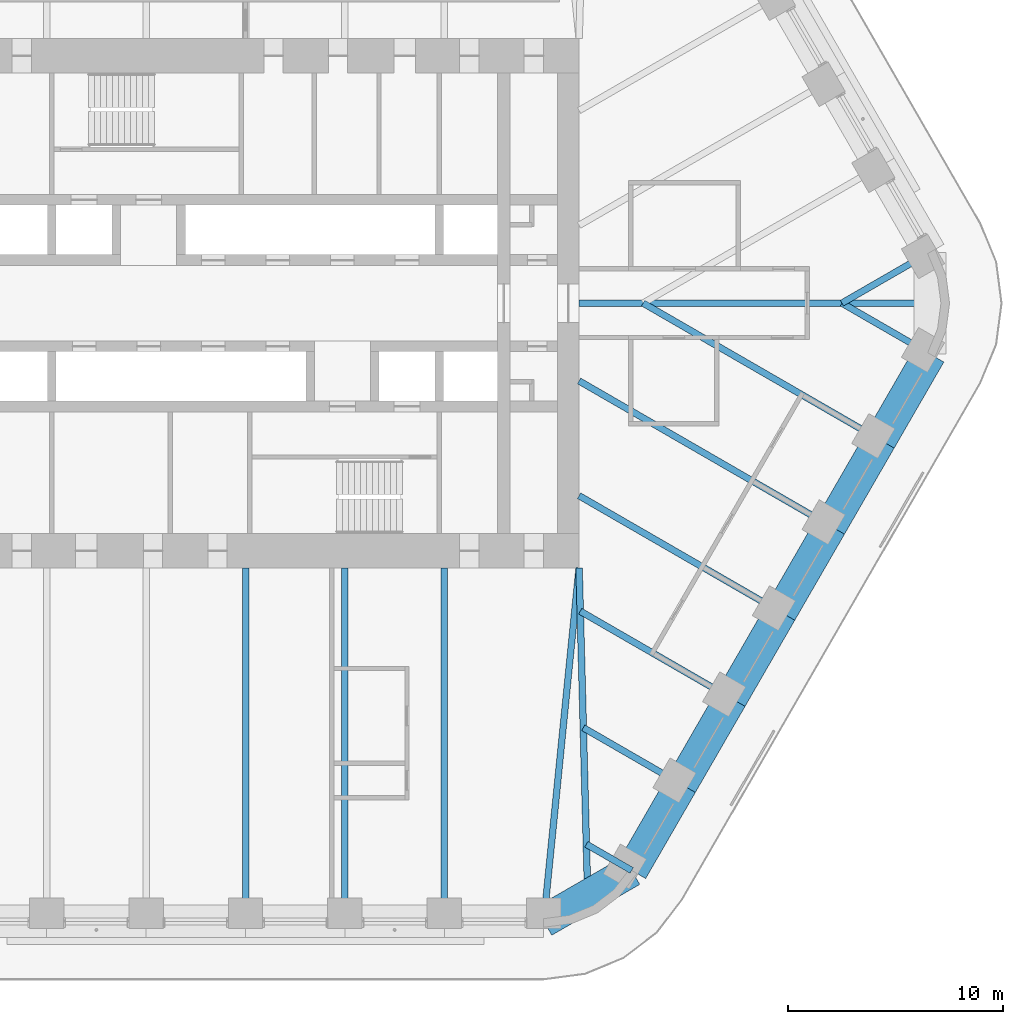
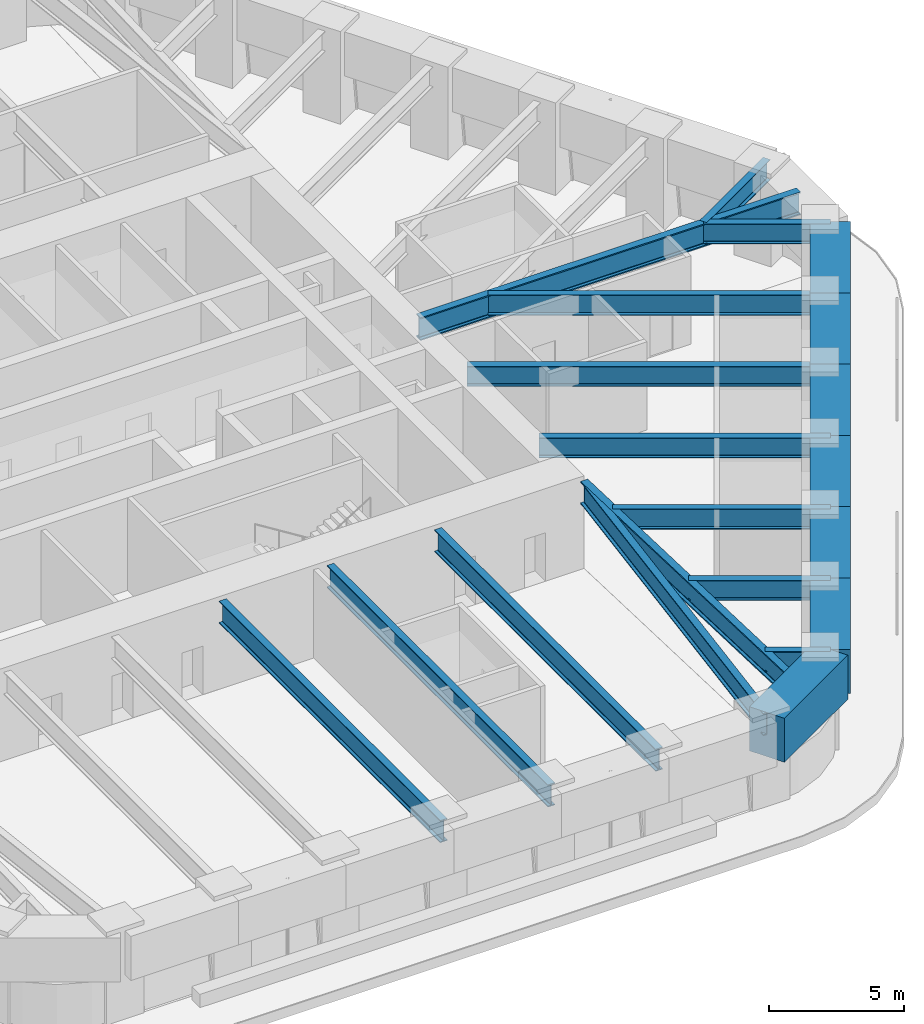
# One storey, part 5 of 20: 21 beams.
"""IFC4 building model written with IfcOpenShell, lengths in metres."""

from ifc_helpers import new_model, si_unit, direction, frame, origin, origin_2d, place, context, subcontext, project, spatial, rectangle, i_section, extrude, material, material_profile, profile_set, type_object, element, save


model = new_model("IFC4")

# Units and contexts
model_context = context("Model", 3, precision=1e-05, world=origin(), true_north=direction((0.0, 1.0)))
body_context = subcontext(model_context, "Body", "Model", "MODEL_VIEW")
ifc_project = project(units=[si_unit("LENGTHUNIT", "METRE"), si_unit("AREAUNIT", "SQUARE_METRE"), si_unit("VOLUMEUNIT", "CUBIC_METRE"), si_unit("PLANEANGLEUNIT", "RADIAN"), si_unit("MASSUNIT", "GRAM", prefix="KILO")], contexts=[model_context])

# Site, building, storey
site_placement = place(None, origin())
site = spatial("IfcSite", under=ifc_project, at=site_placement, CompositionType="ELEMENT")
building_placement = place(site_placement, origin())
building = spatial("IfcBuilding", under=site, at=building_placement, Name="Tarfa Lantern Tower", CompositionType="ELEMENT")
storey_placement = place(building_placement, frame((0.0, 0.0, 228.10009765625)))
storey = spatial("IfcBuildingStorey", under=building, at=storey_placement, Name="L51", CompositionType="ELEMENT", Elevation=228.10009765625)

# Beams
ifc_material_1 = material(Name="Concrete C80/95", Category="concrete")
ifc_material_profile_1 = material_profile(ifc_material_1, rectangle(XDim=1.5, YDim=2.0, at=origin_2d()), Name="RC 1500x2000")
ifc_profile_set_1 = profile_set([ifc_material_profile_1], Name="Concrete C80/95")
beam_type_1 = type_object("IfcBeamType", Name="RB3 RC 1500x2000", PredefinedType="BEAM", material=ifc_profile_set_1)
beam_1_placement = place(storey_placement, frame((13.8564453125, -28.719970703125, 3.0), z_axis=(0.866038294681, 0.499977671647, 0.0), x_axis=(-0.499977671647, 0.866038294681, 0.0)))
element("IfcBeam", 1, at=beam_1_placement, inside=storey, type_object=beam_type_1, Name="Edge beam S6", PredefinedType="BEAM", context=body_context, shape_type="SweptSolid", body=[
    extrude(rectangle(XDim=1.5, YDim=2.0, at=origin_2d()), origin(), (0.0, 0.0, 1.0), 4.719970703125),
])
for number, where, z_axis, x_axis, name in (
    (2, (17.944091796875, -26.360107421875, 3.0), (0.499987836815, 0.866032426089, 0.0), (-0.866032426089, 0.499987836815, 0.0), "Edge beam SE0"),
    (3, (20.25341796875, -22.360107421875, 3.0), (0.499987836815, 0.866032426089, 0.0), (-0.866032426089, 0.499987836815, 0.0), "Edge beam SE1"),
):
    element("IfcBeam", number, at=place(storey_placement, frame(where, z_axis=z_axis, x_axis=x_axis)), inside=storey, type_object=beam_type_1, Name=name, PredefinedType="BEAM", context=body_context, shape_type="SweptSolid", body=[
        extrude(rectangle(XDim=1.5, YDim=2.0, at=origin_2d()), origin(), (0.0, 0.0, 1.0), 4.61865234375),
    ])
beam_2_placement = place(storey_placement, frame((22.562744140625, -18.360107421875, 3.0), z_axis=(0.500027479704, 0.866009537788, 0.0), x_axis=(-0.866009537788, 0.500027479704, 0.0)))
element("IfcBeam", 4, at=beam_2_placement, inside=storey, type_object=beam_type_1, Name="Edge beam SE2", PredefinedType="BEAM", context=body_context, shape_type="SweptSolid", body=[
    extrude(rectangle(XDim=1.5, YDim=2.0, at=origin_2d()), origin(), (0.0, 0.0, 1.0), 4.618896484375),
])
for number, where, z_axis, x_axis, name in (
    (5, (24.872314453125, -14.360107421875, 3.0), (0.499987836815, 0.866032426089, 0.0), (-0.866032426089, 0.499987836815, 0.0), "Edge beam SE3"),
    (6, (27.181640625, -10.360107421875, 3.0), (0.499987836815, 0.866032426089, 0.0), (-0.866032426089, 0.499987836815, 0.0), "Edge beam SE4"),
):
    element("IfcBeam", number, at=place(storey_placement, frame(where, z_axis=z_axis, x_axis=x_axis)), inside=storey, type_object=beam_type_1, Name=name, PredefinedType="BEAM", context=body_context, shape_type="SweptSolid", body=[
        extrude(rectangle(XDim=1.5, YDim=2.0, at=origin_2d()), origin(), (0.0, 0.0, 1.0), 4.61865234375),
    ])
beam_3_placement = place(storey_placement, frame((29.490966796875, -6.360107421875, 3.0), z_axis=(0.500027479704, 0.866009537788, 0.0), x_axis=(-0.866009537788, 0.500027479704, 0.0)))
element("IfcBeam", 7, at=beam_3_placement, inside=storey, type_object=beam_type_1, Name="Edge beam SE5", PredefinedType="BEAM", context=body_context, shape_type="SweptSolid", body=[
    extrude(rectangle(XDim=1.5, YDim=2.0, at=origin_2d()), origin(), (0.0, 0.0, 1.0), 4.618896484375),
])
ifc_material_2 = material(Name="Steel S460M", Category="steel")
ifc_material_profile_2 = material_profile(ifc_material_2, i_section(OverallWidth=0.302001953125, OverallDepth=1.008056640625, WebThickness=0.02099609375, FlangeThickness=0.0400390625, FilletRadius=0.030029296875, at=origin_2d()), Name="UB1016x305x349")
ifc_profile_set_2 = profile_set([ifc_material_profile_2], Name="Steel S460M")
beam_type_2 = type_object("IfcBeamType", Name="UB1016x305x349", PredefinedType="BEAM", material=ifc_profile_set_2)
for number, where, z_axis, x_axis, name in (
    (8, (0.0, -28.719970703125, 3.495849609375), (0.0, 1.0, 0.0), (-1.0, 0.0, 0.0), "Floor beam S3"),
    (9, (4.618896484375, -28.719970703125, 3.495849609375), (0.0, 1.0, 0.0), (-1.0, 0.0, 0.0), "Floor beam S4"),
    (10, (9.237548828125, -28.719970703125, 3.495849609375), (0.0, 1.0, 0.0), (-1.0, 0.0, 0.0), "Floor beam S5"),
):
    element("IfcBeam", number, at=place(storey_placement, frame(where, z_axis=z_axis, x_axis=x_axis)), inside=storey, type_object=beam_type_2, Name=name, PredefinedType="BEAM", context=body_context, shape_type="SweptSolid", body=[
        extrude(i_section(OverallWidth=0.302001953125, OverallDepth=1.008056640625, WebThickness=0.02099609375, FlangeThickness=0.0400390625, FilletRadius=0.030029296875, at=origin_2d()), origin(), (0.0, 0.0, 1.0), 16.419921875),
    ])
beam_4_placement = place(storey_placement, frame((13.8564453125, -28.719970703125, 3.495849609375), z_axis=(0.099597466746, 0.995027810977, 0.0), x_axis=(-0.995027810977, 0.099597466746, 0.0)))
element("IfcBeam", 11, at=beam_4_placement, inside=storey, type_object=beam_type_2, Name="Floor beam S6", PredefinedType="BEAM", context=body_context, shape_type="SweptSolid", body=[
    extrude(i_section(OverallWidth=0.302001953125, OverallDepth=1.008056640625, WebThickness=0.02099609375, FlangeThickness=0.0400390625, FilletRadius=0.030029296875, at=origin_2d()), origin(), (0.0, 0.0, 1.0), 16.501953125),
])
ifc_material_profile_3 = material_profile(ifc_material_2, i_section(OverallWidth=0.30859375, OverallDepth=1.036376953125, WebThickness=0.030029296875, FlangeThickness=0.05419921875, FilletRadius=0.030029296875, at=origin_2d()), Name="UB1016x305x487")
ifc_profile_set_3 = profile_set([ifc_material_profile_3], Name="Steel S460M")
beam_type_3 = type_object("IfcBeamType", Name="UB1016x305x487", PredefinedType="BEAM", material=ifc_profile_set_3)
beam_5_placement = place(storey_placement, frame((15.5, 0.0, 3.481689453125), z_axis=(1.0, 0.0, 0.0), x_axis=(0.0, 1.0, 0.0)))
element("IfcBeam", 12, at=beam_5_placement, inside=storey, type_object=beam_type_3, Name="Hip girder E", PredefinedType="BEAM", context=body_context, shape_type="SweptSolid", body=[
    extrude(i_section(OverallWidth=0.30859375, OverallDepth=1.036376953125, WebThickness=0.030029296875, FlangeThickness=0.05419921875, FilletRadius=0.030029296875, at=origin_2d()), origin(), (0.0, 0.0, 1.0), 16.300537109375),
])
beam_6_placement = place(storey_placement, frame((15.5, -12.300048828125, 3.481689453125), z_axis=(0.026247301989, -0.999655480222, 0.0), x_axis=(0.999655480222, 0.026247301989, 0.0)))
element("IfcBeam", 13, at=beam_6_placement, inside=storey, type_object=beam_type_3, Name="Hip girder SE", PredefinedType="BEAM", context=body_context, shape_type="SweptSolid", body=[
    extrude(i_section(OverallWidth=0.30859375, OverallDepth=1.036376953125, WebThickness=0.030029296875, FlangeThickness=0.05419921875, FilletRadius=0.030029296875, at=origin_2d()), origin(), (0.0, 0.0, 1.0), 15.245361328125),
])
ifc_material_profile_4 = material_profile(ifc_material_2, i_section(OverallWidth=0.305419921875, OverallDepth=0.91845703125, WebThickness=0.017333984375, FlangeThickness=0.02783203125, FilletRadius=0.01904296875, at=origin_2d()), Name="UB914x305x253")
ifc_profile_set_4 = profile_set([ifc_material_profile_4], Name="Steel S460M")
beam_type_4 = type_object("IfcBeamType", Name="UB914x305x253", PredefinedType="BEAM", material=ifc_profile_set_4)
beam_7_placement = place(storey_placement, frame((31.800537109375, 2.360107421875, 3.540771484375), z_axis=(-0.866015897305, -0.500016465344, 0.0), x_axis=(0.500016465344, -0.866015897305, 0.0)))
element("IfcBeam", 14, at=beam_7_placement, inside=storey, type_object=beam_type_4, Name="Floor beam NE0", PredefinedType="BEAM", context=body_context, shape_type="SweptSolid", body=[
    extrude(i_section(OverallWidth=0.305419921875, OverallDepth=0.91845703125, WebThickness=0.017333984375, FlangeThickness=0.02783203125, FilletRadius=0.01904296875, at=origin_2d()), origin(), (0.0, 0.0, 1.0), 4.719970703125),
])
beam_8_placement = place(storey_placement, frame((17.944091796875, -26.360107421875, 3.540771484375), z_axis=(-0.865980009423, 0.5000786171, 0.0), x_axis=(-0.5000786171, -0.865980009423, 0.0)))
element("IfcBeam", 15, at=beam_8_placement, inside=storey, type_object=beam_type_4, Name="Floor beam SE0", PredefinedType="BEAM", context=body_context, shape_type="SweptSolid", body=[
    extrude(i_section(OverallWidth=0.305419921875, OverallDepth=0.91845703125, WebThickness=0.017333984375, FlangeThickness=0.02783203125, FilletRadius=0.01904296875, at=origin_2d()), origin(), (0.0, 0.0, 1.0), 2.4326171875),
])
beam_9_placement = place(storey_placement, frame((20.25341796875, -22.360107421875, 3.540771484375), z_axis=(-0.86601951648, 0.500010196972, 0.0), x_axis=(-0.500010196972, -0.86601951648, 0.0)))
element("IfcBeam", 16, at=beam_9_placement, inside=storey, type_object=beam_type_4, Name="Floor beam SE1", PredefinedType="BEAM", context=body_context, shape_type="SweptSolid", body=[
    extrude(i_section(OverallWidth=0.305419921875, OverallDepth=0.91845703125, WebThickness=0.017333984375, FlangeThickness=0.02783203125, FilletRadius=0.01904296875, at=origin_2d()), origin(), (0.0, 0.0, 1.0), 5.263671875),
])
beam_10_placement = place(storey_placement, frame((22.562744140625, -18.360107421875, 3.540771484375), z_axis=(-0.866010787764, 0.500025314835, 0.0), x_axis=(-0.500025314835, -0.866010787764, 0.0)))
element("IfcBeam", 17, at=beam_10_placement, inside=storey, type_object=beam_type_4, Name="Floor beam SE2", PredefinedType="BEAM", context=body_context, shape_type="SweptSolid", body=[
    extrude(i_section(OverallWidth=0.305419921875, OverallDepth=0.91845703125, WebThickness=0.017333984375, FlangeThickness=0.02783203125, FilletRadius=0.01904296875, at=origin_2d()), origin(), (0.0, 0.0, 1.0), 8.09423828125),
])
beam_11_placement = place(storey_placement, frame((24.872314453125, -14.360107421875, 3.540771484375), z_axis=(-0.8660244219, 0.500001700669, 0.0), x_axis=(-0.500001700669, -0.8660244219, 0.0)))
element("IfcBeam", 18, at=beam_11_placement, inside=storey, type_object=beam_type_4, Name="Floor beam SE3", PredefinedType="BEAM", context=body_context, shape_type="SweptSolid", body=[
    extrude(i_section(OverallWidth=0.305419921875, OverallDepth=0.91845703125, WebThickness=0.017333984375, FlangeThickness=0.02783203125, FilletRadius=0.01904296875, at=origin_2d()), origin(), (0.0, 0.0, 1.0), 10.822265625),
])
beam_12_placement = place(storey_placement, frame((27.181640625, -10.360107421875, 3.540771484375), z_axis=(-0.866018002818, 0.500012818631, 0.0), x_axis=(-0.500012818631, -0.866018002818, 0.0)))
element("IfcBeam", 19, at=beam_12_placement, inside=storey, type_object=beam_type_4, Name="Floor beam SE4", PredefinedType="BEAM", context=body_context, shape_type="SweptSolid", body=[
    extrude(i_section(OverallWidth=0.305419921875, OverallDepth=0.91845703125, WebThickness=0.017333984375, FlangeThickness=0.02783203125, FilletRadius=0.01904296875, at=origin_2d()), origin(), (0.0, 0.0, 1.0), 13.489013671875),
])
beam_13_placement = place(storey_placement, frame((29.490966796875, -6.360107421875, 3.540771484375), z_axis=(-0.866022258038, 0.500005448553, 0.0), x_axis=(-0.500005448553, -0.866022258038, 0.0)))
element("IfcBeam", 20, at=beam_13_placement, inside=storey, type_object=beam_type_4, Name="Floor beam SE5", PredefinedType="BEAM", context=body_context, shape_type="SweptSolid", body=[
    extrude(i_section(OverallWidth=0.305419921875, OverallDepth=0.91845703125, WebThickness=0.017333984375, FlangeThickness=0.02783203125, FilletRadius=0.01904296875, at=origin_2d()), origin(), (0.0, 0.0, 1.0), 12.719970703125),
])
beam_14_placement = place(storey_placement, frame((31.800537109375, -2.360107421875, 3.540771484375), z_axis=(-0.866015897305, 0.500016465344, 0.0), x_axis=(-0.500016465344, -0.866015897305, 0.0)))
element("IfcBeam", 21, at=beam_14_placement, inside=storey, type_object=beam_type_4, Name="Floor beam SE6", PredefinedType="BEAM", context=body_context, shape_type="SweptSolid", body=[
    extrude(i_section(OverallWidth=0.305419921875, OverallDepth=0.91845703125, WebThickness=0.017333984375, FlangeThickness=0.02783203125, FilletRadius=0.01904296875, at=origin_2d()), origin(), (0.0, 0.0, 1.0), 4.719970703125),
])

save(model, "model.ifc")
